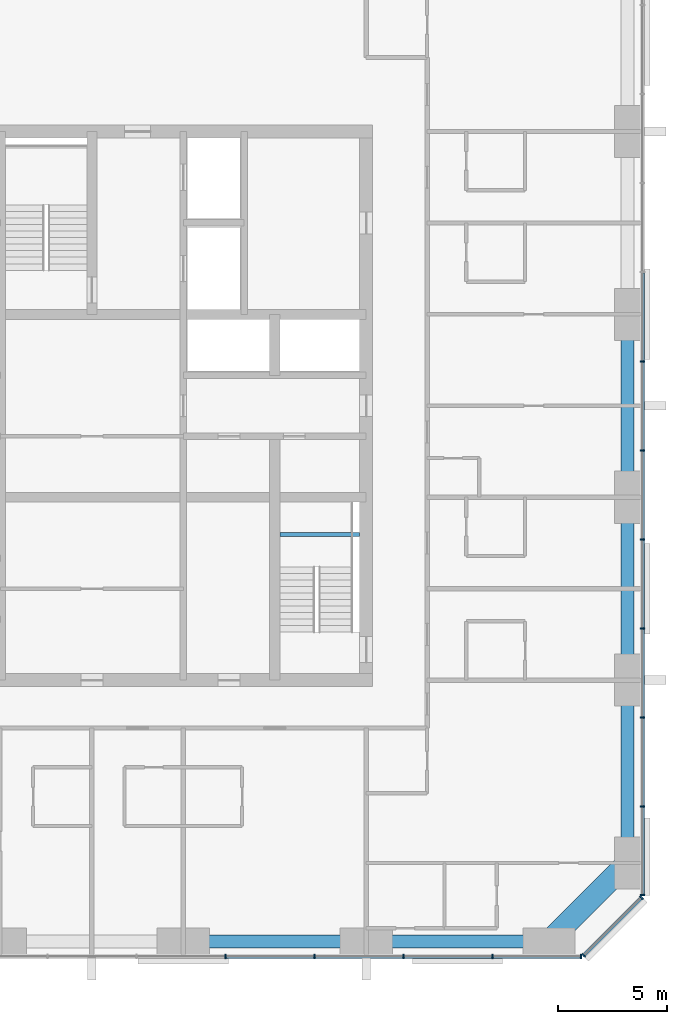
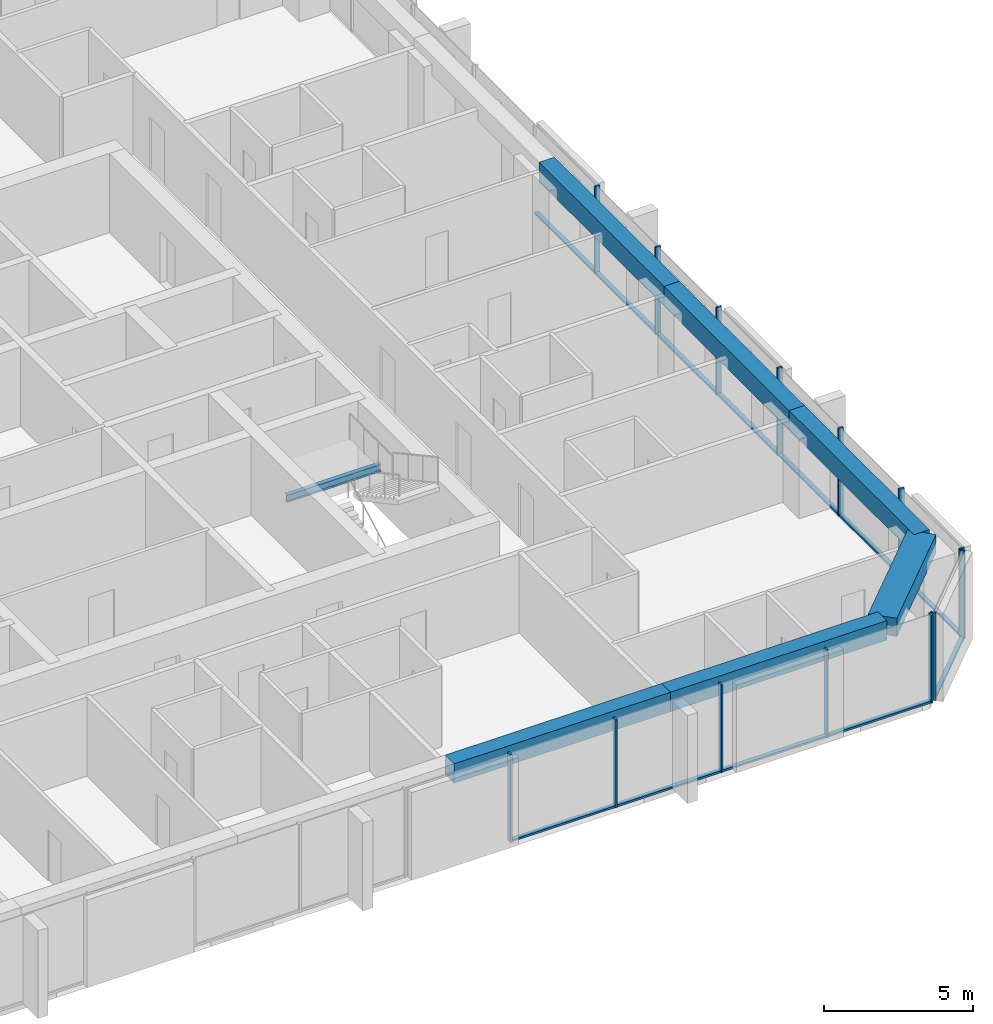
# One storey, part 4 of 13: 26 members, 7 beams, 3 elements without a shape of their own.
"""IFC4 building model written with IfcOpenShell, lengths in metres."""

from ifc_helpers import new_model, si_unit, direction, frame, origin, origin_2d, place, context, subcontext, project, spatial, rectangle, i_section, extrude, material, material_profile, profile_set, type_object, element, aggregate, save


model = new_model("IFC4")

# Units and contexts
model_context = context("Model", 3, precision=1e-05, world=origin(), true_north=direction((0.0, 1.0)))
body_context = subcontext(model_context, "Body", "Model", "MODEL_VIEW")
ifc_project = project(units=[si_unit("LENGTHUNIT", "METRE"), si_unit("AREAUNIT", "SQUARE_METRE"), si_unit("VOLUMEUNIT", "CUBIC_METRE"), si_unit("PLANEANGLEUNIT", "RADIAN"), si_unit("MASSUNIT", "GRAM", prefix="KILO")], contexts=[model_context])

# Site, building, storey
site_placement = place(None, origin())
site = spatial("IfcSite", under=ifc_project, at=site_placement, CompositionType="ELEMENT")
building_placement = place(site_placement, origin())
building = spatial("IfcBuilding", under=site, at=building_placement, Name="Dunama Terrace Hotel", CompositionType="ELEMENT")
storey_placement = place(building_placement, frame((0.0, 0.0, 209.39990234375)))
storey = spatial("IfcBuildingStorey", under=building, at=storey_placement, Name="L54", CompositionType="ELEMENT", Elevation=209.39990234375)

# Curtain wall, members
ifc_material_1 = material(Name="Aluminium curtain wall system", Category="aluminium")
curtain_wall_type = type_object("IfcCurtainWallType", Name="Unitised fritted glass wall CW-C", PredefinedType="NOTDEFINED", material=ifc_material_1)
curtain_wall_1_placement = place(storey_placement, origin())
curtain_wall_1 = element("IfcCurtainWall", 1, at=curtain_wall_1_placement, inside=storey, type_object=curtain_wall_type, Name="Unitised fritted glass wall CW-C L54", PredefinedType="NOTDEFINED")
ifc_material_2 = material(Name="Aluminium mullion", Category="aluminium")
ifc_material_profile_1 = material_profile(ifc_material_2, rectangle(XDim=0.070068359375, YDim=0.199951171875, at=origin_2d()), Name="CWC MULLION 70X200")
ifc_profile_set_1 = profile_set([ifc_material_profile_1], Name="Aluminium mullion")
member_type_1 = type_object("IfcMemberType", Name="CWC mullion 70x200", PredefinedType="MULLION", material=ifc_profile_set_1)
member_1_placement = place(storey_placement, frame((35.535888671875, 4.10009765625, 0.0), z_axis=(0.0, 0.0, 1.0), x_axis=(1.0, 0.0, 0.0)))
member_1 = element("IfcMember", 2, at=member_1_placement, type_object=member_type_1, Name="CWC mullion", PredefinedType="MULLION", context=body_context, shape_type="SweptSolid", body=[
    extrude(rectangle(XDim=0.070068359375, YDim=0.199951171875, at=origin_2d()), origin(), (0.0, 0.0, 1.0), 3.60009765625),
])
member_2_placement = place(storey_placement, frame((39.626953125, 4.10009765625, 0.0), z_axis=(0.0, 0.0, 1.0), x_axis=(1.0, 0.0, 0.0)))
member_2 = element("IfcMember", 3, at=member_2_placement, type_object=member_type_1, Name="CWC mullion", PredefinedType="MULLION", context=body_context, shape_type="SweptSolid", body=[
    extrude(rectangle(XDim=0.070068359375, YDim=0.199951171875, at=origin_2d()), origin(), (0.0, 0.0, 1.0), 3.60009765625),
])
member_3_placement = place(storey_placement, frame((43.718017578125, 4.10009765625, 0.0), z_axis=(0.0, 0.0, 1.0), x_axis=(1.0, 0.0, 0.0)))
member_3 = element("IfcMember", 4, at=member_3_placement, type_object=member_type_1, Name="CWC mullion", PredefinedType="MULLION", context=body_context, shape_type="SweptSolid", body=[
    extrude(rectangle(XDim=0.070068359375, YDim=0.199951171875, at=origin_2d()), origin(), (0.0, 0.0, 1.0), 3.60009765625),
])
member_4_placement = place(storey_placement, frame((47.80908203125, 4.10009765625, 0.0), z_axis=(0.0, 0.0, 1.0), x_axis=(1.0, 0.0, 0.0)))
member_4 = element("IfcMember", 5, at=member_4_placement, type_object=member_type_1, Name="CWC mullion", PredefinedType="MULLION", context=body_context, shape_type="SweptSolid", body=[
    extrude(rectangle(XDim=0.070068359375, YDim=0.199951171875, at=origin_2d()), origin(), (0.0, 0.0, 1.0), 3.60009765625),
])
member_5_placement = place(storey_placement, frame((51.864990234375, 4.10009765625, 0.0), z_axis=(0.0, 0.0, 1.0), x_axis=(1.0, 0.0, 0.0)))
member_5 = element("IfcMember", 6, at=member_5_placement, type_object=member_type_1, Name="CWC mullion", PredefinedType="MULLION", context=body_context, shape_type="SweptSolid", body=[
    extrude(rectangle(XDim=0.070068359375, YDim=0.199951171875, at=origin_2d()), origin(), (0.0, 0.0, 1.0), 3.60009765625),
])

curtain_wall_2_placement = place(storey_placement, origin())
curtain_wall_2 = element("IfcCurtainWall", 7, at=curtain_wall_2_placement, inside=storey, type_object=curtain_wall_type, Name="Unitised fritted glass wall CW-C L54", PredefinedType="NOTDEFINED")
member_6_placement = place(storey_placement, frame((51.9951171875, 4.154052734375, 0.0), z_axis=(0.0, 0.0, 1.0), x_axis=(0.707106781187, 0.707106781187, 0.0)))
member_6 = element("IfcMember", 8, at=member_6_placement, type_object=member_type_1, Name="CWC mullion", PredefinedType="MULLION", context=body_context, shape_type="SweptSolid", body=[
    extrude(rectangle(XDim=0.070068359375, YDim=0.199951171875, at=origin_2d()), origin(), (0.0, 0.0, 1.0), 3.60009765625),
])
member_7_placement = place(storey_placement, frame((54.64599609375, 6.804931640625, 0.0), z_axis=(0.0, 0.0, 1.0), x_axis=(0.707106781187, 0.707106781187, 0.0)))
member_7 = element("IfcMember", 9, at=member_7_placement, type_object=member_type_1, Name="CWC mullion", PredefinedType="MULLION", context=body_context, shape_type="SweptSolid", body=[
    extrude(rectangle(XDim=0.070068359375, YDim=0.199951171875, at=origin_2d()), origin(), (0.0, 0.0, 1.0), 3.60009765625),
])

curtain_wall_3_placement = place(storey_placement, origin())
curtain_wall_3 = element("IfcCurtainWall", 10, at=curtain_wall_3_placement, inside=storey, type_object=curtain_wall_type, Name="Unitised fritted glass wall CW-C L54", PredefinedType="NOTDEFINED")
member_8_placement = place(storey_placement, frame((54.699951171875, 6.93505859375, 0.0), z_axis=(0.0, 0.0, 1.0), x_axis=(0.0, 1.0, 0.0)))
member_8 = element("IfcMember", 11, at=member_8_placement, type_object=member_type_1, Name="CWC mullion", PredefinedType="MULLION", context=body_context, shape_type="SweptSolid", body=[
    extrude(rectangle(XDim=0.070068359375, YDim=0.199951171875, at=origin_2d()), origin(), (0.0, 0.0, 1.0), 3.60009765625),
])
member_9_placement = place(storey_placement, frame((54.699951171875, 10.990966796875, 0.0), z_axis=(0.0, 0.0, 1.0), x_axis=(0.0, 1.0, 0.0)))
member_9 = element("IfcMember", 12, at=member_9_placement, type_object=member_type_1, Name="CWC mullion", PredefinedType="MULLION", context=body_context, shape_type="SweptSolid", body=[
    extrude(rectangle(XDim=0.070068359375, YDim=0.199951171875, at=origin_2d()), origin(), (0.0, 0.0, 1.0), 3.60009765625),
])
member_10_placement = place(storey_placement, frame((54.699951171875, 15.08203125, 0.0), z_axis=(0.0, 0.0, 1.0), x_axis=(0.0, 1.0, 0.0)))
member_10 = element("IfcMember", 13, at=member_10_placement, type_object=member_type_1, Name="CWC mullion", PredefinedType="MULLION", context=body_context, shape_type="SweptSolid", body=[
    extrude(rectangle(XDim=0.070068359375, YDim=0.199951171875, at=origin_2d()), origin(), (0.0, 0.0, 1.0), 3.60009765625),
])
member_11_placement = place(storey_placement, frame((54.699951171875, 19.173095703125, 0.0), z_axis=(0.0, 0.0, 1.0), x_axis=(0.0, 1.0, 0.0)))
member_11 = element("IfcMember", 14, at=member_11_placement, type_object=member_type_1, Name="CWC mullion", PredefinedType="MULLION", context=body_context, shape_type="SweptSolid", body=[
    extrude(rectangle(XDim=0.070068359375, YDim=0.199951171875, at=origin_2d()), origin(), (0.0, 0.0, 1.0), 3.60009765625),
])
member_12_placement = place(storey_placement, frame((54.699951171875, 23.263916015625, 0.0), z_axis=(0.0, 0.0, 1.0), x_axis=(0.0, 1.0, 0.0)))
member_12 = element("IfcMember", 15, at=member_12_placement, type_object=member_type_1, Name="CWC mullion", PredefinedType="MULLION", context=body_context, shape_type="SweptSolid", body=[
    extrude(rectangle(XDim=0.070068359375, YDim=0.199951171875, at=origin_2d()), origin(), (0.0, 0.0, 1.0), 3.60009765625),
])
member_13_placement = place(storey_placement, frame((54.699951171875, 27.35498046875, 0.0), z_axis=(0.0, 0.0, 1.0), x_axis=(0.0, 1.0, 0.0)))
member_13 = element("IfcMember", 16, at=member_13_placement, type_object=member_type_1, Name="CWC mullion", PredefinedType="MULLION", context=body_context, shape_type="SweptSolid", body=[
    extrude(rectangle(XDim=0.070068359375, YDim=0.199951171875, at=origin_2d()), origin(), (0.0, 0.0, 1.0), 3.60009765625),
])
member_14_placement = place(storey_placement, frame((54.699951171875, 31.445068359375, 0.0), z_axis=(0.0, 0.0, 1.0), x_axis=(0.0, 1.0, 0.0)))
member_14 = element("IfcMember", 17, at=member_14_placement, type_object=member_type_1, Name="CWC mullion", PredefinedType="MULLION", context=body_context, shape_type="SweptSolid", body=[
    extrude(rectangle(XDim=0.070068359375, YDim=0.199951171875, at=origin_2d()), origin(), (0.0, 0.0, 1.0), 3.60009765625),
])

# Member
ifc_material_3 = material(Name="Aluminium transom", Category="aluminium")
ifc_material_profile_2 = material_profile(ifc_material_3, rectangle(XDim=0.159912109375, YDim=0.080078125, at=origin_2d()), Name="CWC TRANSOM 160X80")
ifc_profile_set_2 = profile_set([ifc_material_profile_2], Name="Aluminium transom")
member_type_2 = type_object("IfcMemberType", Name="CWC transom 160x80", PredefinedType="USERDEFINED", material=ifc_profile_set_2)
member_15_placement = place(storey_placement, frame((35.571044921875, 4.10009765625, 0.0400390625), z_axis=(1.0, 0.0, 0.0), x_axis=(0.0, 1.0, 0.0)))
member_15 = element("IfcMember", 18, at=member_15_placement, type_object=member_type_2, Name="CWC transom", ObjectType="TRANSOM", PredefinedType="USERDEFINED", context=body_context, shape_type="SweptSolid", body=[
    extrude(rectangle(XDim=0.159912109375, YDim=0.080078125, at=origin_2d()), origin(), (0.0, 0.0, 1.0), 4.02099609375),
])

member_16_placement = place(storey_placement, frame((39.662109375, 4.10009765625, 0.0400390625), z_axis=(1.0, 0.0, 0.0), x_axis=(0.0, 1.0, 0.0)))
member_16 = element("IfcMember", 19, at=member_16_placement, type_object=member_type_2, Name="CWC transom", ObjectType="TRANSOM", PredefinedType="USERDEFINED", context=body_context, shape_type="SweptSolid", body=[
    extrude(rectangle(XDim=0.159912109375, YDim=0.080078125, at=origin_2d()), origin(), (0.0, 0.0, 1.0), 4.02099609375),
])

member_17_placement = place(storey_placement, frame((43.7529296875, 4.10009765625, 0.0400390625), z_axis=(1.0, 0.0, 0.0), x_axis=(0.0, 1.0, 0.0)))
member_17 = element("IfcMember", 20, at=member_17_placement, type_object=member_type_2, Name="CWC transom", ObjectType="TRANSOM", PredefinedType="USERDEFINED", context=body_context, shape_type="SweptSolid", body=[
    extrude(rectangle(XDim=0.159912109375, YDim=0.080078125, at=origin_2d()), origin(), (0.0, 0.0, 1.0), 4.02099609375),
])

member_18_placement = place(storey_placement, frame((47.843994140625, 4.10009765625, 0.0400390625), z_axis=(1.0, 0.0, 0.0), x_axis=(0.0, 1.0, 0.0)))
member_18 = element("IfcMember", 21, at=member_18_placement, type_object=member_type_2, Name="CWC transom", ObjectType="TRANSOM", PredefinedType="USERDEFINED", context=body_context, shape_type="SweptSolid", body=[
    extrude(rectangle(XDim=0.159912109375, YDim=0.080078125, at=origin_2d()), origin(), (0.0, 0.0, 1.0), 3.986083984375),
])

aggregate(curtain_wall_1, [member_1, member_2, member_3, member_4, member_5, member_15, member_16, member_17, member_18])

member_19_placement = place(storey_placement, frame((52.02001953125, 4.178955078125, 0.0400390625), z_axis=(0.707106781187, 0.707106781187, 0.0), x_axis=(-0.707106781187, 0.707106781187, 0.0)))
member_19 = element("IfcMember", 22, at=member_19_placement, type_object=member_type_2, Name="CWC transom", ObjectType="TRANSOM", PredefinedType="USERDEFINED", context=body_context, shape_type="SweptSolid", body=[
    extrude(rectangle(XDim=0.159912109375, YDim=0.080078125, at=origin_2d()), origin(), (0.0, 0.0, 1.0), 3.678466796875),
])

aggregate(curtain_wall_2, [member_6, member_7, member_19])

member_20_placement = place(storey_placement, frame((54.699951171875, 6.969970703125, 0.0400390625), z_axis=(0.0, 1.0, 0.0), x_axis=(-1.0, 0.0, 0.0)))
member_20 = element("IfcMember", 23, at=member_20_placement, type_object=member_type_2, Name="CWC transom", ObjectType="TRANSOM", PredefinedType="USERDEFINED", context=body_context, shape_type="SweptSolid", body=[
    extrude(rectangle(XDim=0.159912109375, YDim=0.080078125, at=origin_2d()), origin(), (0.0, 0.0, 1.0), 3.986083984375),
])

member_21_placement = place(storey_placement, frame((54.699951171875, 11.02587890625, 0.0400390625), z_axis=(0.0, 1.0, 0.0), x_axis=(-1.0, 0.0, 0.0)))
member_21 = element("IfcMember", 24, at=member_21_placement, type_object=member_type_2, Name="CWC transom", ObjectType="TRANSOM", PredefinedType="USERDEFINED", context=body_context, shape_type="SweptSolid", body=[
    extrude(rectangle(XDim=0.159912109375, YDim=0.080078125, at=origin_2d()), origin(), (0.0, 0.0, 1.0), 4.021240234375),
])

member_22_placement = place(storey_placement, frame((54.699951171875, 15.116943359375, 0.0400390625), z_axis=(0.0, 1.0, 0.0), x_axis=(-1.0, 0.0, 0.0)))
member_22 = element("IfcMember", 25, at=member_22_placement, type_object=member_type_2, Name="CWC transom", ObjectType="TRANSOM", PredefinedType="USERDEFINED", context=body_context, shape_type="SweptSolid", body=[
    extrude(rectangle(XDim=0.159912109375, YDim=0.080078125, at=origin_2d()), origin(), (0.0, 0.0, 1.0), 4.02099609375),
])

member_23_placement = place(storey_placement, frame((54.699951171875, 19.2080078125, 0.0400390625), z_axis=(0.0, 1.0, 0.0), x_axis=(-1.0, 0.0, 0.0)))
member_23 = element("IfcMember", 26, at=member_23_placement, type_object=member_type_2, Name="CWC transom", ObjectType="TRANSOM", PredefinedType="USERDEFINED", context=body_context, shape_type="SweptSolid", body=[
    extrude(rectangle(XDim=0.159912109375, YDim=0.080078125, at=origin_2d()), origin(), (0.0, 0.0, 1.0), 4.02099609375),
])

member_24_placement = place(storey_placement, frame((54.699951171875, 23.299072265625, 0.0400390625), z_axis=(0.0, 1.0, 0.0), x_axis=(-1.0, 0.0, 0.0)))
member_24 = element("IfcMember", 27, at=member_24_placement, type_object=member_type_2, Name="CWC transom", ObjectType="TRANSOM", PredefinedType="USERDEFINED", context=body_context, shape_type="SweptSolid", body=[
    extrude(rectangle(XDim=0.159912109375, YDim=0.080078125, at=origin_2d()), origin(), (0.0, 0.0, 1.0), 4.02099609375),
])

member_25_placement = place(storey_placement, frame((54.699951171875, 27.389892578125, 0.0400390625), z_axis=(0.0, 1.0, 0.0), x_axis=(-1.0, 0.0, 0.0)))
member_25 = element("IfcMember", 28, at=member_25_placement, type_object=member_type_2, Name="CWC transom", ObjectType="TRANSOM", PredefinedType="USERDEFINED", context=body_context, shape_type="SweptSolid", body=[
    extrude(rectangle(XDim=0.159912109375, YDim=0.080078125, at=origin_2d()), origin(), (0.0, 0.0, 1.0), 4.02001953125),
])

member_26_placement = place(storey_placement, frame((54.699951171875, 31.47998046875, 0.0400390625), z_axis=(0.0, 1.0, 0.0), x_axis=(-1.0, 0.0, 0.0)))
member_26 = element("IfcMember", 29, at=member_26_placement, type_object=member_type_2, Name="CWC transom", ObjectType="TRANSOM", PredefinedType="USERDEFINED", context=body_context, shape_type="SweptSolid", body=[
    extrude(rectangle(XDim=0.159912109375, YDim=0.080078125, at=origin_2d()), origin(), (0.0, 0.0, 1.0), 4.02099609375),
])

aggregate(curtain_wall_3, [member_8, member_9, member_10, member_11, member_12, member_13, member_14, member_20, member_21, member_22, member_23, member_24, member_25, member_26])

# Beams
ifc_material_4 = material(Name="Concrete C50/60", Category="concrete")
ifc_material_profile_3 = material_profile(ifc_material_4, rectangle(XDim=1.0, YDim=0.75, at=origin_2d()), Name="RC 1000x750")
ifc_profile_set_3 = profile_set([ifc_material_profile_3], Name="Concrete C50/60")
beam_type_1 = type_object("IfcBeamType", Name="Edge beam RC 1000x750", PredefinedType="SPANDREL", material=ifc_profile_set_3)
beam_1_placement = place(storey_placement, frame((50.39990234375, 4.800048828125, 3.22509765625), z_axis=(0.707130757816, 0.707082803744, 0.0), x_axis=(-0.707082803744, 0.707130757816, 0.0)))
element("IfcBeam", 30, at=beam_1_placement, inside=storey, type_object=beam_type_1, Name="Corner edge beam under L55", PredefinedType="SPANDREL", context=body_context, shape_type="SweptSolid", body=[
    extrude(rectangle(XDim=1.0, YDim=0.75, at=origin_2d()), origin(), (0.0, 0.0, 1.0), 5.091064453125),
])
ifc_material_5 = material(Name="Concrete C40/50", Category="concrete")
ifc_material_profile_4 = material_profile(ifc_material_5, rectangle(XDim=0.60009765625, YDim=0.800048828125, at=origin_2d()), Name="RC 600x800")
ifc_profile_set_4 = profile_set([ifc_material_profile_4], Name="Concrete C40/50")
beam_type_2 = type_object("IfcBeamType", Name="Edge beam RC 600x800", PredefinedType="SPANDREL", material=ifc_profile_set_4)
beam_2_placement = place(storey_placement, frame((54.0, 8.39990234375, 3.2001953125), z_axis=(0.0, 1.0, 0.0), x_axis=(-1.0, 0.0, 0.0)))
element("IfcBeam", 31, at=beam_2_placement, inside=storey, type_object=beam_type_2, Name="Edge beam under L55", PredefinedType="SPANDREL", context=body_context, shape_type="SweptSolid", body=[
    extrude(rectangle(XDim=0.60009765625, YDim=0.800048828125, at=origin_2d()), origin(), (0.0, 0.0, 1.0), 8.400146484375),
])
beam_3_placement = place(storey_placement, frame((54.0, 16.800048828125, 3.2001953125), z_axis=(0.0, 1.0, 0.0), x_axis=(-1.0, 0.0, 0.0)))
element("IfcBeam", 32, at=beam_3_placement, inside=storey, type_object=beam_type_2, Name="Edge beam under L55", PredefinedType="SPANDREL", context=body_context, shape_type="SweptSolid", body=[
    extrude(rectangle(XDim=0.60009765625, YDim=0.800048828125, at=origin_2d()), origin(), (0.0, 0.0, 1.0), 8.39990234375),
])
beam_4_placement = place(storey_placement, frame((54.0, 25.199951171875, 3.2001953125), z_axis=(0.0, 1.0, 0.0), x_axis=(-1.0, 0.0, 0.0)))
element("IfcBeam", 33, at=beam_4_placement, inside=storey, type_object=beam_type_2, Name="Edge beam under L55", PredefinedType="SPANDREL", context=body_context, shape_type="SweptSolid", body=[
    extrude(rectangle(XDim=0.60009765625, YDim=0.800048828125, at=origin_2d()), origin(), (0.0, 0.0, 1.0), 8.400146484375),
])
for number, where, z_axis, x_axis, name in (
    (34, (33.60009765625, 4.800048828125, 3.2001953125), (1.0, 0.0, 0.0), (0.0, 1.0, 0.0), "Edge beam under L55"),
    (35, (42.0, 4.800048828125, 3.2001953125), (1.0, 0.0, 0.0), (0.0, 1.0, 0.0), "Edge beam under L55"),
):
    element("IfcBeam", number, at=place(storey_placement, frame(where, z_axis=z_axis, x_axis=x_axis)), inside=storey, type_object=beam_type_2, Name=name, PredefinedType="SPANDREL", context=body_context, shape_type="SweptSolid", body=[
        extrude(rectangle(XDim=0.60009765625, YDim=0.800048828125, at=origin_2d()), origin(), (0.0, 0.0, 1.0), 8.39990234375),
    ])
ifc_material_6 = material(Name="Steel S355", Category="steel")
ifc_material_profile_5 = material_profile(ifc_material_6, i_section(OverallWidth=0.1650390625, OverallDepth=0.303466796875, WebThickness=0.006103515625, FlangeThickness=0.01025390625, FilletRadius=0.0087890625, at=origin_2d()), Name="UB 305x165x40")
ifc_profile_set_5 = profile_set([ifc_material_profile_5], Name="Steel S355")
beam_type_3 = type_object("IfcBeamType", Name="Stair beam UB 305x165x40", PredefinedType="BEAM", material=ifc_profile_set_5)
beam_5_placement = place(storey_placement, frame((38.050048828125, 23.487548828125, 1.448486328125), z_axis=(1.0, 0.0, 0.0), x_axis=(0.0, 1.0, 0.0)))
element("IfcBeam", 36, at=beam_5_placement, inside=storey, type_object=beam_type_3, Name="Stair landing beam ST2 L54", PredefinedType="BEAM", context=body_context, shape_type="SweptSolid", body=[
    extrude(i_section(OverallWidth=0.1650390625, OverallDepth=0.303466796875, WebThickness=0.006103515625, FlangeThickness=0.01025390625, FilletRadius=0.0087890625, at=origin_2d()), origin(), (0.0, 0.0, 1.0), 3.64990234375),
])

save(model, "model.ifc")
